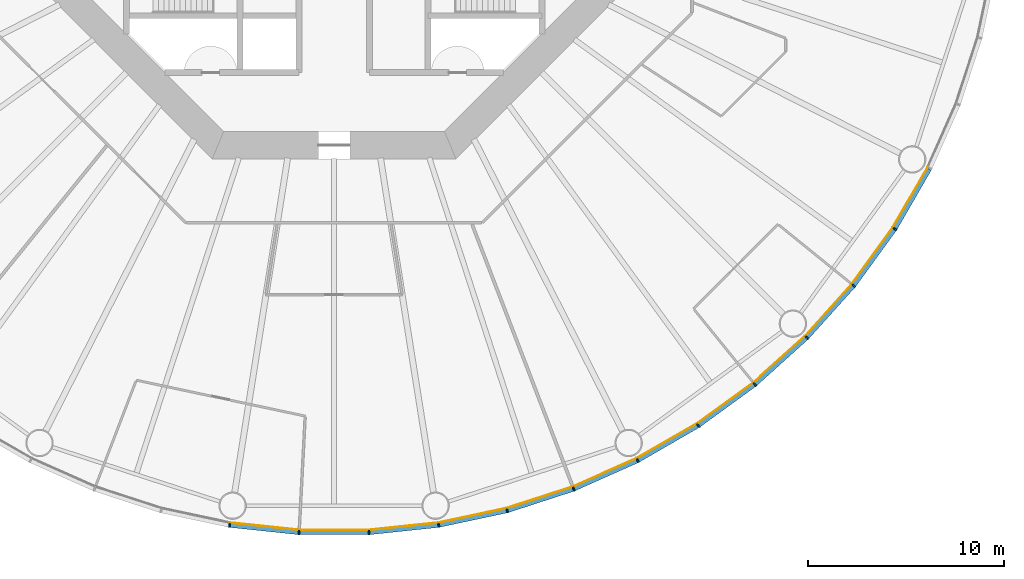
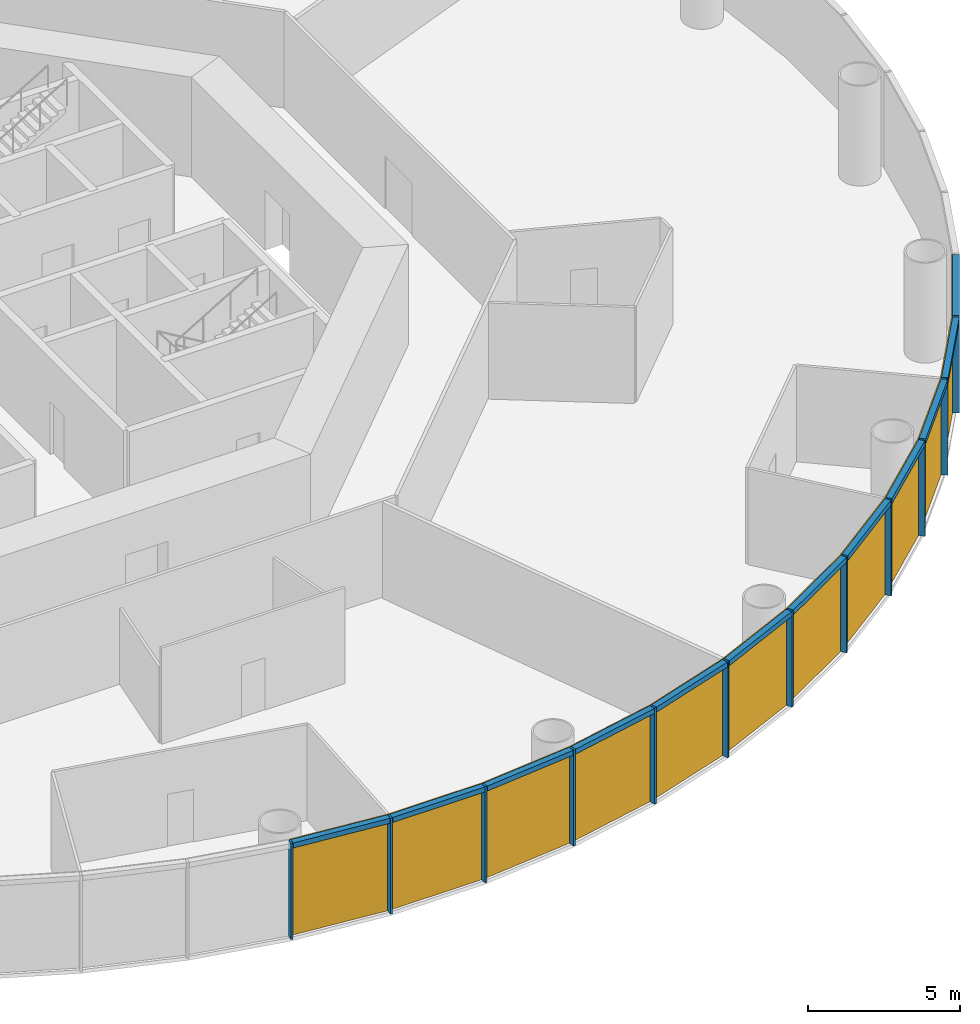
# One storey, part 8 of 13: 24 members, 4 curtain walls.
"""IFC4 building model written with IfcOpenShell, lengths in metres."""

import ifcopenshell
import ifcopenshell.guid

model = None  # the IFC model being written
_history = None  # IfcOwnerHistory: only IFC2X3 demands one
_inside = {}  # id of a spatial element -> (the spatial element, [elements in it])
_under = {}  # id of a project, library or spatial element -> (it, [spatial elements below it])
_declared = {}  # id of a project -> (the project, [libraries it declares])
_typed = {}  # id of a type object -> (the type object, [elements of that type])
_made_of = {}  # id of a material, layer set ... -> (it, [elements and type objects made of it])


def new_model(schema):
    """Start an empty IFC model of exactly this schema.

    Asked for "IFC4X3", IfcOpenShell would pick the latest addendum, in which some entities
    have other attributes; the version numbers below select the first issue.
    IFC2X3 requires an IfcOwnerHistory on every rooted entity: one is made here for all.
    """
    global model, _history
    if schema == "IFC4X3":
        model = ifcopenshell.file(schema_version=(4, 3, 0, 0))
    else:
        model = ifcopenshell.file(schema=schema)
    _inside.clear()
    _under.clear()
    _declared.clear()
    _typed.clear()
    _made_of.clear()
    _history = None
    if model.schema == "IFC2X3":
        org = make("IfcOrganization", Name="unknown")
        user = make(
            "IfcPersonAndOrganization",
            ThePerson=make("IfcPerson", FamilyName="unknown"),
            TheOrganization=org,
        )
        app = make(
            "IfcApplication",
            ApplicationDeveloper=org,
            Version="unknown",
            ApplicationFullName="unknown",
            ApplicationIdentifier="unknown",
        )
        _history = make(
            "IfcOwnerHistory",
            OwningUser=user,
            OwningApplication=app,
            ChangeAction="ADDED",
            CreationDate=0,
        )
    return model


def make(cls, **values):
    """One entity of the class cls with the attributes given. An attribute that is None is left unset."""
    return model.create_entity(
        cls, **{name: value for name, value in values.items() if value is not None}
    )


def rooted(cls, **values):
    """An entity with a GlobalId (a new one), such as an element, a storey or a relation."""
    return make(cls, GlobalId=ifcopenshell.guid.new(), OwnerHistory=_history, **values)


def si_unit(unit_type, name, prefix=None):
    """IfcSIUnit, for example si_unit("LENGTHUNIT", "METRE", prefix="MILLI")."""
    return make("IfcSIUnit", UnitType=unit_type, Prefix=prefix, Name=name)


def assignment(units):
    """IfcUnitAssignment: the units of a project."""
    return None if units is None else make("IfcUnitAssignment", Units=units)


def point(xyz):
    """IfcCartesianPoint."""
    return None if xyz is None else make("IfcCartesianPoint", Coordinates=xyz)


def direction(xyz):
    """IfcDirection."""
    return None if xyz is None else make("IfcDirection", DirectionRatios=xyz)


def frame(location, z_axis=None, x_axis=None):
    """IfcAxis2Placement3D, a coordinate frame: its origin and axes. An axis left out is left unset."""
    return make(
        "IfcAxis2Placement3D",
        Location=point(location),
        Axis=direction(z_axis),
        RefDirection=direction(x_axis),
    )


def frame_2d(location, x_axis=None):
    """IfcAxis2Placement2D, a coordinate frame in the plane: its origin and x axis."""
    return make(
        "IfcAxis2Placement2D", Location=point(location), RefDirection=direction(x_axis)
    )


def origin():
    """The frame at (0, 0, 0) with its axes left unset."""
    return frame((0.0, 0.0, 0.0))


def origin_2d():
    """The frame at (0, 0) in the plane with its x axis left unset."""
    return frame_2d((0.0, 0.0))


def place(relative_to, where):
    """IfcLocalPlacement: puts the frame where relative to a parent placement (None: the world)."""
    return make(
        "IfcLocalPlacement", PlacementRelTo=relative_to, RelativePlacement=where
    )


def context(
    kind, dimensions, precision=None, world=None, true_north=None, identifier=None
):
    """IfcGeometricRepresentationContext, for example the 3D "Model" context."""
    return make(
        "IfcGeometricRepresentationContext",
        ContextIdentifier=identifier,
        ContextType=kind,
        CoordinateSpaceDimension=dimensions,
        Precision=precision,
        WorldCoordinateSystem=world,
        TrueNorth=true_north,
    )


def subcontext(parent, identifier, kind, view, scale=None):
    """IfcGeometricRepresentationSubContext, for example "Body" below "Model"."""
    return make(
        "IfcGeometricRepresentationSubContext",
        ContextIdentifier=identifier,
        ContextType=kind,
        ParentContext=parent,
        TargetScale=scale,
        TargetView=view,
    )


def project(units=None, contexts=None):
    """IfcProject with its units and contexts."""
    return rooted(
        "IfcProject",
        Name="project",
        RepresentationContexts=contexts,
        UnitsInContext=assignment(units),
    )


def spatial(cls, under=None, at=None, **own):
    """A site, building, storey or space (cls), placed at a placement, below another one or the project."""
    s = rooted(cls, ObjectPlacement=at, **own)
    if under is not None:
        _under.setdefault(under.id(), (under, []))[1].append(s)
    return s


def polyline(points):
    """IfcPolyline through the points."""
    return make("IfcPolyline", Points=[point(p) for p in points])


def profile(cls, at=None, kind="AREA", **sizes):
    """A parametric profile (cls). Its sizes go by their IFC names, for example OverallWidth=200.0."""
    return make(cls, ProfileType=kind, Position=at, **sizes)


def rectangle(**sizes):
    """IfcRectangleProfileDef."""
    return profile("IfcRectangleProfileDef", **sizes)


def outline(outer, holes=None, kind="AREA"):
    """IfcArbitraryClosedProfileDef: a profile drawn as a closed curve; with holes, ...WithVoids."""
    if holes is None:
        return make("IfcArbitraryClosedProfileDef", ProfileType=kind, OuterCurve=outer)
    return make(
        "IfcArbitraryProfileDefWithVoids",
        ProfileType=kind,
        OuterCurve=outer,
        InnerCurves=holes,
    )


def extrude(swept, where, along, depth):
    """IfcExtrudedAreaSolid: the profile swept, set in the frame where, extruded along a direction by depth."""
    return make(
        "IfcExtrudedAreaSolid",
        SweptArea=swept,
        Position=where,
        ExtrudedDirection=direction(along),
        Depth=depth,
    )


def shape(context_of_items, identifier, shape_type, items):
    """IfcShapeRepresentation: the items that make up one representation, for example the "Body"."""
    return make(
        "IfcShapeRepresentation",
        ContextOfItems=context_of_items,
        RepresentationIdentifier=identifier,
        RepresentationType=shape_type,
        Items=items,
    )


def material(Name=None, Category=None):
    """IfcMaterial."""
    return make("IfcMaterial", Name=Name, Category=Category)


def layer(
    of_material, thickness, ventilated=None, Name=None, Category=None, Priority=None
):
    """IfcMaterialLayer: one layer of a wall or slab, of a material (None: an air gap)."""
    return make(
        "IfcMaterialLayer",
        Material=of_material,
        LayerThickness=thickness,
        IsVentilated=ventilated,
        Name=Name,
        Category=Category,
        Priority=Priority,
    )


def layer_set(layers, Name=None):
    """IfcMaterialLayerSet."""
    return make("IfcMaterialLayerSet", MaterialLayers=layers, LayerSetName=Name)


def material_profile(
    of_material, cross_section, Name=None, Category=None, Priority=None
):
    """IfcMaterialProfile: a cross section and its material."""
    return make(
        "IfcMaterialProfile",
        Name=Name,
        Material=of_material,
        Profile=cross_section,
        Priority=Priority,
        Category=Category,
    )


def profile_set(profiles, Name=None, composite=None):
    """IfcMaterialProfileSet."""
    return make(
        "IfcMaterialProfileSet",
        Name=Name,
        MaterialProfiles=profiles,
        CompositeProfile=composite,
    )


def made_of(thing, what):
    """Note that an element or type object is made of a material, layer set ...; save() writes the relation."""
    if what is not None:
        _made_of.setdefault(what.id(), (what, []))[1].append(thing)
    return thing


def type_object(cls, material=None, **own):
    """A type object (cls), such as IfcWallType, which elements share."""
    return made_of(rooted(cls, **own), material)


def element(
    cls,
    number,
    at=None,
    inside=None,
    cuts=None,
    type_object=None,
    material=None,
    context=None,
    identifier="Body",
    shape_type=None,
    held_by="IfcProductDefinitionShape",
    body=None,
    shapes=None,
    **own,
):
    """One element of the class cls, such as IfcWall. Its Tag is "e" and its number.

    at: its placement. inside: the storey or other place that contains it. cuts: it is an
    opening in that element (IfcRelVoidsElement). A single representation is given by context,
    identifier, shape_type and body (its items); several are given by shapes. held_by: the class
    of the entity that holds the representations. save() writes the other relations.
    """
    e = rooted(cls, Tag="e%d" % number, ObjectPlacement=at, **own)
    if body is not None:
        shapes = [shape(context, identifier, shape_type, body)]
    if shapes is not None:
        e.Representation = make(held_by, Representations=shapes)
    if inside is not None:
        _inside.setdefault(inside.id(), (inside, []))[1].append(e)
    if cuts is not None:
        rooted(
            "IfcRelVoidsElement", RelatingBuildingElement=cuts, RelatedOpeningElement=e
        )
    if type_object is not None:
        _typed.setdefault(type_object.id(), (type_object, []))[1].append(e)
    return made_of(e, material)


def aggregate(whole, parts):
    """IfcRelAggregates: a whole, such as a stair, and the parts it consists of."""
    return rooted("IfcRelAggregates", RelatingObject=whole, RelatedObjects=parts)


def save(model, path):
    """Write the relations noted so far, then the file.

    IfcRelAggregates (storeys below a building ...), IfcRelContainedInSpatialStructure (elements
    in a storey), IfcRelDefinesByType, IfcRelAssociatesMaterial and IfcRelDeclares: one each for
    every whole, place, type object, material and project.
    """
    for whole, parts in _under.values():
        aggregate(whole, parts)
    for where, things in _inside.values():
        rooted(
            "IfcRelContainedInSpatialStructure",
            RelatedElements=things,
            RelatingStructure=where,
        )
    for kind, things in _typed.values():
        rooted("IfcRelDefinesByType", RelatedObjects=things, RelatingType=kind)
    for what, things in _made_of.values():
        rooted("IfcRelAssociatesMaterial", RelatedObjects=things, RelatingMaterial=what)
    for by, libraries in _declared.values():
        rooted("IfcRelDeclares", RelatingContext=by, RelatedDefinitions=libraries)
    model.write(path)


model = new_model("IFC4")

# Units and contexts
model_context = context("Model", 3, precision=1e-05, world=origin(), true_north=direction((0.0, 1.0)))
body_context = subcontext(model_context, "Body", "Model", "MODEL_VIEW")
ifc_project = project(units=[si_unit("LENGTHUNIT", "METRE"), si_unit("AREAUNIT", "SQUARE_METRE"), si_unit("VOLUMEUNIT", "CUBIC_METRE"), si_unit("PLANEANGLEUNIT", "RADIAN"), si_unit("MASSUNIT", "GRAM", prefix="KILO")], contexts=[model_context])

# Member
ifc_material_1 = material(Name="Anodised aluminium", Category="aluminium")
ifc_material_profile_1 = material_profile(ifc_material_1, rectangle(XDim=0.074951171875, YDim=0.219970703125, at=origin_2d()), Name="Mullion 75 x 220 mm anodised aluminium")
ifc_profile_set_1 = profile_set([ifc_material_profile_1], Name="Anodised aluminium")
member_type_1 = type_object("IfcMemberType", Name="Mullion 75 x 220 mm anodised aluminium", PredefinedType="MULLION", material=ifc_profile_set_1)
site_placement = place(None, origin())
building_placement = place(site_placement, origin())
storey_placement = place(building_placement, frame((0.0, 0.0, 58.0)))
member_1_placement = place(storey_placement, frame((84.6640625, 46.31005859375, 0.0), z_axis=(0.0, 0.0, 1.0), x_axis=(0.987688340595, -0.15643446504, 0.0)))
member_1 = element("IfcMember", 1, at=member_1_placement, type_object=member_type_1, Name="MULLION L12-42", PredefinedType="MULLION", context=body_context, shape_type="SweptSolid", body=[
    extrude(rectangle(XDim=0.074951171875, YDim=0.219970703125, at=origin_2d()), origin(), (0.0, 0.0, 1.0), 3.85009765625),
])

member_2_placement = place(storey_placement, frame((88.21484375, 45.936767578125, 0.0), z_axis=(0.0, 0.0, 1.0), x_axis=(0.998629534755, -0.052335956243, 0.0)))
member_2 = element("IfcMember", 2, at=member_2_placement, type_object=member_type_1, Name="MULLION L12-43", PredefinedType="MULLION", context=body_context, shape_type="SweptSolid", body=[
    extrude(rectangle(XDim=0.074951171875, YDim=0.219970703125, at=origin_2d()), origin(), (0.0, 0.0, 1.0), 3.85009765625),
])

member_3_placement = place(storey_placement, frame((91.78515625, 45.936767578125, 0.0), z_axis=(0.0, 0.0, 1.0), x_axis=(0.998629534755, 0.052335956243, 0.0)))
member_3 = element("IfcMember", 3, at=member_3_placement, type_object=member_type_1, Name="MULLION L12-44", PredefinedType="MULLION", context=body_context, shape_type="SweptSolid", body=[
    extrude(rectangle(XDim=0.074951171875, YDim=0.219970703125, at=origin_2d()), origin(), (0.0, 0.0, 1.0), 3.85009765625),
])

member_4_placement = place(storey_placement, frame((95.3359375, 46.31005859375, 0.0), z_axis=(0.0, 0.0, 1.0), x_axis=(0.987688340595, 0.15643446504, 0.0)))
member_4 = element("IfcMember", 4, at=member_4_placement, type_object=member_type_1, Name="MULLION L12-45", PredefinedType="MULLION", context=body_context, shape_type="SweptSolid", body=[
    extrude(rectangle(XDim=0.074951171875, YDim=0.219970703125, at=origin_2d()), origin(), (0.0, 0.0, 1.0), 3.85009765625),
])

member_5_placement = place(storey_placement, frame((98.828369140625, 47.05224609375, 0.0), z_axis=(0.0, 0.0, 1.0), x_axis=(0.965925826289, 0.258819045103, 0.0)))
member_5 = element("IfcMember", 5, at=member_5_placement, type_object=member_type_1, Name="MULLION L12-46", PredefinedType="MULLION", context=body_context, shape_type="SweptSolid", body=[
    extrude(rectangle(XDim=0.074951171875, YDim=0.219970703125, at=origin_2d()), origin(), (0.0, 0.0, 1.0), 3.85009765625),
])

member_6_placement = place(storey_placement, frame((102.223876953125, 48.155517578125, 0.0), z_axis=(0.0, 0.0, 1.0), x_axis=(0.933580426497, 0.358367949545, 0.0)))
member_6 = element("IfcMember", 6, at=member_6_placement, type_object=member_type_1, Name="MULLION L12-47", PredefinedType="MULLION", context=body_context, shape_type="SweptSolid", body=[
    extrude(rectangle(XDim=0.074951171875, YDim=0.219970703125, at=origin_2d()), origin(), (0.0, 0.0, 1.0), 3.85009765625),
])

member_7_placement = place(storey_placement, frame((105.485595703125, 49.607666015625, 0.0), z_axis=(0.0, 0.0, 1.0), x_axis=(0.891006524188, 0.45399049974, 0.0)))
member_7 = element("IfcMember", 7, at=member_7_placement, type_object=member_type_1, Name="MULLION L12-48", PredefinedType="MULLION", context=body_context, shape_type="SweptSolid", body=[
    extrude(rectangle(XDim=0.074951171875, YDim=0.219970703125, at=origin_2d()), origin(), (0.0, 0.0, 1.0), 3.85009765625),
])

member_8_placement = place(storey_placement, frame((108.57763671875, 51.39306640625, 0.0), z_axis=(0.0, 0.0, 1.0), x_axis=(0.838670567945, 0.544639035015, 0.0)))
member_8 = element("IfcMember", 8, at=member_8_placement, type_object=member_type_1, Name="MULLION L12-49", PredefinedType="MULLION", context=body_context, shape_type="SweptSolid", body=[
    extrude(rectangle(XDim=0.074951171875, YDim=0.219970703125, at=origin_2d()), origin(), (0.0, 0.0, 1.0), 3.85009765625),
])

member_9_placement = place(storey_placement, frame((111.466064453125, 53.491455078125, 0.0), z_axis=(0.0, 0.0, 1.0), x_axis=(0.777145961457, 0.62932039105, 0.0)))
member_9 = element("IfcMember", 9, at=member_9_placement, type_object=member_type_1, Name="MULLION L12-50", PredefinedType="MULLION", context=body_context, shape_type="SweptSolid", body=[
    extrude(rectangle(XDim=0.074951171875, YDim=0.219970703125, at=origin_2d()), origin(), (0.0, 0.0, 1.0), 3.85009765625),
])

member_10_placement = place(storey_placement, frame((114.119384765625, 55.880615234375, 0.0), z_axis=(0.0, 0.0, 1.0), x_axis=(0.707106781187, 0.707106781187, 0.0)))
member_10 = element("IfcMember", 10, at=member_10_placement, type_object=member_type_1, Name="MULLION L12-51", PredefinedType="MULLION", context=body_context, shape_type="SweptSolid", body=[
    extrude(rectangle(XDim=0.074951171875, YDim=0.219970703125, at=origin_2d()), origin(), (0.0, 0.0, 1.0), 3.85009765625),
])

member_11_placement = place(storey_placement, frame((116.508544921875, 58.533935546875, 0.0), z_axis=(0.0, 0.0, 1.0), x_axis=(0.62932039105, 0.777145961457, 0.0)))
member_11 = element("IfcMember", 11, at=member_11_placement, type_object=member_type_1, Name="MULLION L12-52", PredefinedType="MULLION", context=body_context, shape_type="SweptSolid", body=[
    extrude(rectangle(XDim=0.074951171875, YDim=0.219970703125, at=origin_2d()), origin(), (0.0, 0.0, 1.0), 3.85009765625),
])

member_12_placement = place(storey_placement, frame((118.60693359375, 61.42236328125, 0.0), z_axis=(0.0, 0.0, 1.0), x_axis=(0.544639035015, 0.838670567945, 0.0)))
member_12 = element("IfcMember", 12, at=member_12_placement, type_object=member_type_1, Name="MULLION L12-53", PredefinedType="MULLION", context=body_context, shape_type="SweptSolid", body=[
    extrude(rectangle(XDim=0.074951171875, YDim=0.219970703125, at=origin_2d()), origin(), (0.0, 0.0, 1.0), 3.85009765625),
])

ifc_material_2 = material(Name="Anodised aluminium", Category="aluminium")
ifc_material_profile_2 = material_profile(ifc_material_2, rectangle(XDim=0.219970703125, YDim=0.199951171875, at=origin_2d()), Name="Transom 200 x 220 mm anodised aluminium")
ifc_profile_set_2 = profile_set([ifc_material_profile_2], Name="Anodised aluminium")
member_type_2 = type_object("IfcMemberType", Name="Transom 200 x 220 mm anodised aluminium", PredefinedType="USERDEFINED", material=ifc_profile_set_2)
member_13_placement = place(storey_placement, frame((84.70703125, 46.30517578125, 3.75), z_axis=(0.994526551648, -0.104484152234, 0.0), x_axis=(0.104484152234, 0.994526551648, 0.0)))
member_13 = element("IfcMember", 13, at=member_13_placement, type_object=member_type_2, Name="TRANSOM L12-42", ObjectType="TRANSOM", PredefinedType="USERDEFINED", context=body_context, shape_type="SweptSolid", body=[
    extrude(rectangle(XDim=0.219970703125, YDim=0.199951171875, at=origin_2d()), origin(), (0.0, 0.0, 1.0), 3.48388671875),
])

member_14_placement = place(storey_placement, frame((88.258056640625, 45.9365234375, 3.75), z_axis=(1.0, 0.0, 0.0), x_axis=(0.0, 1.0, 0.0)))
member_14 = element("IfcMember", 14, at=member_14_placement, type_object=member_type_2, Name="TRANSOM L12-43", ObjectType="TRANSOM", PredefinedType="USERDEFINED", context=body_context, shape_type="SweptSolid", body=[
    extrude(rectangle(XDim=0.219970703125, YDim=0.199951171875, at=origin_2d()), origin(), (0.0, 0.0, 1.0), 3.48388671875),
])

member_15_placement = place(storey_placement, frame((91.828125, 45.941162109375, 3.75), z_axis=(0.994526551648, 0.104484152234, 0.0), x_axis=(-0.104484152234, 0.994526551648, 0.0)))
member_15 = element("IfcMember", 15, at=member_15_placement, type_object=member_type_2, Name="TRANSOM L12-44", ObjectType="TRANSOM", PredefinedType="USERDEFINED", context=body_context, shape_type="SweptSolid", body=[
    extrude(rectangle(XDim=0.219970703125, YDim=0.199951171875, at=origin_2d()), origin(), (0.0, 0.0, 1.0), 3.48388671875),
])

member_16_placement = place(storey_placement, frame((95.37841796875, 46.31884765625, 3.75), z_axis=(0.978145669426, 0.207920776701, 0.0), x_axis=(-0.207920776701, 0.978145669426, 0.0)))
member_16 = element("IfcMember", 16, at=member_16_placement, type_object=member_type_2, Name="TRANSOM L12-45", ObjectType="TRANSOM", PredefinedType="USERDEFINED", context=body_context, shape_type="SweptSolid", body=[
    extrude(rectangle(XDim=0.219970703125, YDim=0.199951171875, at=origin_2d()), origin(), (0.0, 0.0, 1.0), 3.48388671875),
])

member_17_placement = place(storey_placement, frame((98.869384765625, 47.0654296875, 3.75), z_axis=(0.951052605696, 0.309029029702, 0.0), x_axis=(-0.309029029702, 0.951052605696, 0.0)))
member_17 = element("IfcMember", 17, at=member_17_placement, type_object=member_type_2, Name="TRANSOM L12-46", ObjectType="TRANSOM", PredefinedType="USERDEFINED", context=body_context, shape_type="SweptSolid", body=[
    extrude(rectangle(XDim=0.219970703125, YDim=0.199951171875, at=origin_2d()), origin(), (0.0, 0.0, 1.0), 3.484130859375),
])

member_18_placement = place(storey_placement, frame((102.263427734375, 48.173095703125, 3.75), z_axis=(0.913545487371, 0.406736576304, 0.0), x_axis=(-0.406736576304, 0.913545487371, 0.0)))
member_18 = element("IfcMember", 18, at=member_18_placement, type_object=member_type_2, Name="TRANSOM L12-47", ObjectType="TRANSOM", PredefinedType="USERDEFINED", context=body_context, shape_type="SweptSolid", body=[
    extrude(rectangle(XDim=0.219970703125, YDim=0.199951171875, at=origin_2d()), origin(), (0.0, 0.0, 1.0), 3.48388671875),
])

member_19_placement = place(storey_placement, frame((105.523193359375, 49.629150390625, 3.75), z_axis=(0.866022206254, 0.500005538244, 0.0), x_axis=(-0.500005538244, 0.866022206254, 0.0)))
member_19 = element("IfcMember", 19, at=member_19_placement, type_object=member_type_2, Name="TRANSOM L12-48", ObjectType="TRANSOM", PredefinedType="USERDEFINED", context=body_context, shape_type="SweptSolid", body=[
    extrude(rectangle(XDim=0.219970703125, YDim=0.199951171875, at=origin_2d()), origin(), (0.0, 0.0, 1.0), 3.48388671875),
])

member_20_placement = place(storey_placement, frame((108.61279296875, 51.418212890625, 3.75), z_axis=(0.80899056535, 0.587821627006, 0.0), x_axis=(-0.587821627006, 0.80899056535, 0.0)))
member_20 = element("IfcMember", 20, at=member_20_placement, type_object=member_type_2, Name="TRANSOM L12-49", ObjectType="TRANSOM", PredefinedType="USERDEFINED", context=body_context, shape_type="SweptSolid", body=[
    extrude(rectangle(XDim=0.219970703125, YDim=0.199951171875, at=origin_2d()), origin(), (0.0, 0.0, 1.0), 3.48388671875),
])

member_21_placement = place(storey_placement, frame((111.498291015625, 53.520263671875, 3.75), z_axis=(0.743137329876, 0.669138930974, 0.0), x_axis=(-0.669138930974, 0.743137329876, 0.0)))
member_21 = element("IfcMember", 21, at=member_21_placement, type_object=member_type_2, Name="TRANSOM L12-50", ObjectType="TRANSOM", PredefinedType="USERDEFINED", context=body_context, shape_type="SweptSolid", body=[
    extrude(rectangle(XDim=0.219970703125, YDim=0.199951171875, at=origin_2d()), origin(), (0.0, 0.0, 1.0), 3.484130859375),
])

member_22_placement = place(storey_placement, frame((114.1484375, 55.91259765625, 3.75), z_axis=(0.669138930974, 0.743137329876, 0.0), x_axis=(-0.743137329876, 0.669138930974, 0.0)))
member_22 = element("IfcMember", 22, at=member_22_placement, type_object=member_type_2, Name="TRANSOM L12-51", ObjectType="TRANSOM", PredefinedType="USERDEFINED", context=body_context, shape_type="SweptSolid", body=[
    extrude(rectangle(XDim=0.219970703125, YDim=0.199951171875, at=origin_2d()), origin(), (0.0, 0.0, 1.0), 3.484130859375),
])

member_23_placement = place(storey_placement, frame((116.533935546875, 58.56884765625, 3.75), z_axis=(0.587821627006, 0.80899056535, 0.0), x_axis=(-0.80899056535, 0.587821627006, 0.0)))
member_23 = element("IfcMember", 23, at=member_23_placement, type_object=member_type_2, Name="TRANSOM L12-52", ObjectType="TRANSOM", PredefinedType="USERDEFINED", context=body_context, shape_type="SweptSolid", body=[
    extrude(rectangle(XDim=0.219970703125, YDim=0.199951171875, at=origin_2d()), origin(), (0.0, 0.0, 1.0), 3.48388671875),
])

member_24_placement = place(storey_placement, frame((118.62890625, 61.459716796875, 3.75), z_axis=(0.500005538244, 0.866022206254, 0.0), x_axis=(-0.866022206254, 0.500005538244, 0.0)))
member_24 = element("IfcMember", 24, at=member_24_placement, type_object=member_type_2, Name="TRANSOM L12-53", ObjectType="TRANSOM", PredefinedType="USERDEFINED", context=body_context, shape_type="SweptSolid", body=[
    extrude(rectangle(XDim=0.219970703125, YDim=0.199951171875, at=origin_2d()), origin(), (0.0, 0.0, 1.0), 3.48388671875),
])

# Site, building, storey
site = spatial("IfcSite", under=ifc_project, at=site_placement, CompositionType="ELEMENT")
building = spatial("IfcBuilding", under=site, at=building_placement, Name="Entoto Ring Tower", CompositionType="ELEMENT")
storey = spatial("IfcBuildingStorey", under=building, at=storey_placement, Name="L12", CompositionType="ELEMENT", Elevation=58.0)

# Curtain wall
ifc_material_3 = material(Name="Clear low-iron glass", Category="glass")
ifc_layer = layer(ifc_material_3, 0.0400390625)
ifc_layer_set = layer_set([ifc_layer], Name="Clear low-iron glass")
curtain_wall_type = type_object("IfcCurtainWallType", Name="Curtain wall system CW1 glazing 40 mm", PredefinedType="NOTDEFINED", material=ifc_layer_set)
curtain_wall_1_placement = place(storey_placement, origin())
curtain_wall_1 = element("IfcCurtainWall", 25, at=curtain_wall_1_placement, inside=storey, type_object=curtain_wall_type, Name="CW1 L12-15", PredefinedType="NOTDEFINED", context=body_context, shape_type="SweptSolid", body=[
    extrude(outline(polyline([(84.68115234375, 46.418701171875), (88.220458984375, 46.046630859375), (91.779541015625, 46.046630859375), (95.31884765625, 46.418701171875), (95.3125, 46.458251953125), (91.77734375, 46.086669921875), (88.22265625, 46.086669921875), (84.6875, 46.458251953125), (84.68115234375, 46.418701171875)])), origin(), (0.0, 0.0, 1.0), 3.85009765625),
])

aggregate(curtain_wall_1, [member_1, member_2, member_3, member_13, member_14, member_15])

curtain_wall_2_placement = place(storey_placement, origin())
curtain_wall_2 = element("IfcCurtainWall", 26, at=curtain_wall_2_placement, inside=storey, type_object=curtain_wall_type, Name="CW1 L12-16", PredefinedType="NOTDEFINED", context=body_context, shape_type="SweptSolid", body=[
    extrude(outline(polyline([(95.31884765625, 46.418701171875), (98.7998046875, 47.158447265625), (102.1845703125, 48.25830078125), (105.435791015625, 49.705810546875), (105.41748046875, 49.741455078125), (102.170166015625, 48.295654296875), (98.78955078125, 47.197265625), (95.3125, 46.458251953125), (95.31884765625, 46.418701171875)])), origin(), (0.0, 0.0, 1.0), 3.85009765625),
])

aggregate(curtain_wall_2, [member_4, member_5, member_6, member_16, member_17, member_18])

curtain_wall_3_placement = place(storey_placement, origin())
curtain_wall_3 = element("IfcCurtainWall", 27, at=curtain_wall_3_placement, inside=storey, type_object=curtain_wall_type, Name="CW1 L12-17", PredefinedType="NOTDEFINED", context=body_context, shape_type="SweptSolid", body=[
    extrude(outline(polyline([(105.435791015625, 49.705810546875), (108.517822265625, 51.485107421875), (111.39697265625, 53.5771484375), (114.041748046875, 55.958251953125), (114.013427734375, 55.986572265625), (111.37158203125, 53.608154296875), (108.495849609375, 51.518798828125), (105.41748046875, 49.741455078125), (105.435791015625, 49.705810546875)])), origin(), (0.0, 0.0, 1.0), 3.85009765625),
])

aggregate(curtain_wall_3, [member_7, member_8, member_9, member_19, member_20, member_21])

curtain_wall_4_placement = place(storey_placement, origin())
curtain_wall_4 = element("IfcCurtainWall", 28, at=curtain_wall_4_placement, inside=storey, type_object=curtain_wall_type, Name="CW1 L12-18", PredefinedType="NOTDEFINED", context=body_context, shape_type="SweptSolid", body=[
    extrude(outline(polyline([(114.041748046875, 55.958251953125), (116.4228515625, 58.60302734375), (118.514892578125, 61.482177734375), (120.294189453125, 64.564208984375), (120.258544921875, 64.58251953125), (118.481201171875, 61.504150390625), (116.391845703125, 58.62841796875), (114.013427734375, 55.986572265625), (114.041748046875, 55.958251953125)])), origin(), (0.0, 0.0, 1.0), 3.85009765625),
])

aggregate(curtain_wall_4, [member_10, member_11, member_12, member_22, member_23, member_24])

save(model, "model.ifc")
